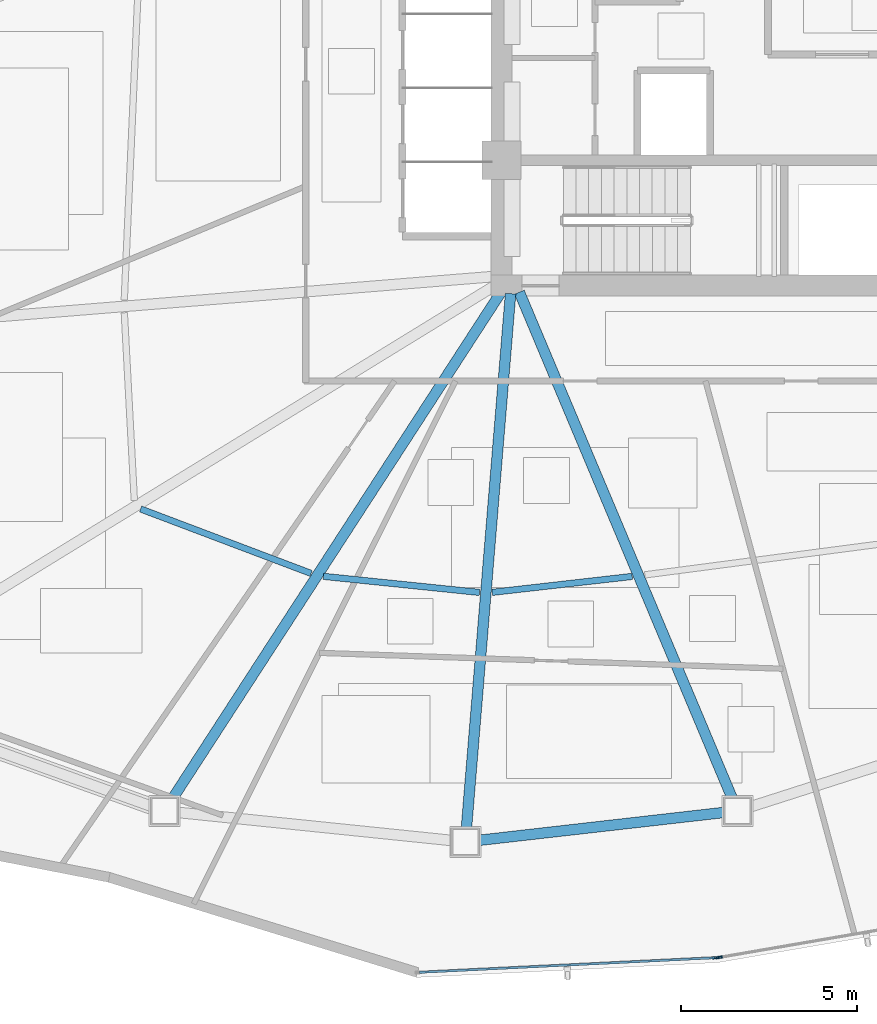
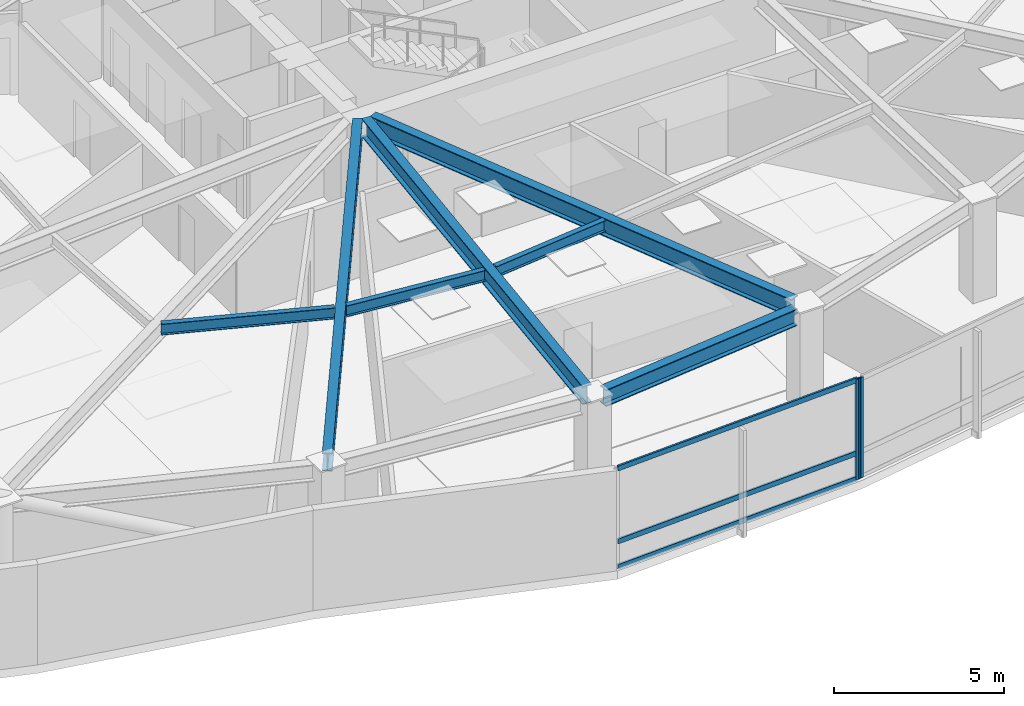
# One storey, part 3 of 18: 7 beams, 5 members, 2 elements without a shape of their own.
"""IFC4 building model written with IfcOpenShell, lengths in metres."""

from ifc_helpers import new_model, si_unit, direction, frame, origin, origin_2d, place, context, subcontext, project, spatial, hollow_rectangle, i_section, extrude, source, transform, mapped, material, layer, layer_set, material_profile, profile_set, type_object, type_shapes, element, aggregate, save


model = new_model("IFC4")

# Units and contexts
model_context = context("Model", 3, precision=1e-05, world=origin(), true_north=direction((0.0, 1.0)))
body_context = subcontext(model_context, "Body", "Model", "MODEL_VIEW")
ifc_project = project(units=[si_unit("LENGTHUNIT", "METRE"), si_unit("AREAUNIT", "SQUARE_METRE"), si_unit("VOLUMEUNIT", "CUBIC_METRE"), si_unit("PLANEANGLEUNIT", "RADIAN"), si_unit("MASSUNIT", "GRAM", prefix="KILO")], contexts=[model_context])

# Site, building, storey
site_placement = place(None, origin())
site = spatial("IfcSite", under=ifc_project, at=site_placement, CompositionType="ELEMENT")
building_placement = place(site_placement, origin())
building = spatial("IfcBuilding", under=site, at=building_placement, Name="Tavelor Broadcast Tower", CompositionType="ELEMENT")
storey_placement = place(building_placement, frame((0.0, 0.0, 51.0)))
storey = spatial("IfcBuildingStorey", under=building, at=storey_placement, Name="L11", CompositionType="ELEMENT", Elevation=51.0)

# Beams
ifc_material_1 = material(Name="Steel S355", Category="steel")
ifc_material_profile_1 = material_profile(ifc_material_1, i_section(OverallWidth=0.179931640625, OverallDepth=0.39990234375, WebThickness=0.008544921875, FlangeThickness=0.013427734375, at=origin_2d()), Name="IPE 400")
ifc_profile_set_1 = profile_set([ifc_material_profile_1], Name="Steel S355")
beam_type_1 = type_object("IfcBeamType", Name="Composite Floor Joist T1 IPE 400", PredefinedType="JOIST", material=ifc_profile_set_1)
beam_1_placement = place(storey_placement, frame((32.875732421875, 32.172119140625, 3.39990234375), z_axis=(0.935393222228, -0.353609275629, 0.0), x_axis=(0.353609275629, 0.935393222228, 0.0)))
element("IfcBeam", 1, at=beam_1_placement, inside=storey, type_object=beam_type_1, Name="L11 Secondary Composite Floor Joist 07", PredefinedType="JOIST", context=body_context, shape_type="SweptSolid", body=[
    extrude(i_section(OverallWidth=0.179931640625, OverallDepth=0.39990234375, WebThickness=0.008544921875, FlangeThickness=0.013427734375, at=origin_2d()), origin(), (0.0, 0.0, 1.0), 5.16357421875),
])
beam_2_placement = place(storey_placement, frame((38.05517578125, 30.263671875, 3.39990234375), z_axis=(0.994731276638, -0.102516765835, 0.0), x_axis=(0.102516765835, 0.994731276638, 0.0)))
element("IfcBeam", 2, at=beam_2_placement, inside=storey, type_object=beam_type_1, Name="L11 Secondary Composite Floor Joist 08", PredefinedType="JOIST", context=body_context, shape_type="SweptSolid", body=[
    extrude(i_section(OverallWidth=0.179931640625, OverallDepth=0.39990234375, WebThickness=0.008544921875, FlangeThickness=0.013427734375, at=origin_2d()), origin(), (0.0, 0.0, 1.0), 4.44384765625),
])
beam_3_placement = place(storey_placement, frame((42.83544921875, 29.81005859375, 3.39990234375), z_axis=(0.993584195036, 0.113094860076, 0.0), x_axis=(-0.113094860076, 0.993584195036, 0.0)))
element("IfcBeam", 3, at=beam_3_placement, inside=storey, type_object=beam_type_1, Name="L11 Secondary Composite Floor Joist 09", PredefinedType="JOIST", context=body_context, shape_type="SweptSolid", body=[
    extrude(i_section(OverallWidth=0.179931640625, OverallDepth=0.39990234375, WebThickness=0.008544921875, FlangeThickness=0.013427734375, at=origin_2d()), origin(), (0.0, 0.0, 1.0), 3.99365234375),
])
ifc_material_profile_2 = material_profile(ifc_material_1, i_section(OverallWidth=0.300048828125, OverallDepth=0.60009765625, WebThickness=0.015380859375, FlangeThickness=0.030029296875, at=origin_2d()), Name="HEB 600")
ifc_profile_set_2 = profile_set([ifc_material_profile_2], Name="Steel S355")
beam_type_2 = type_object("IfcBeamType", Name="Perimeter Spandrel Beam T1 HEB 600", PredefinedType="SPANDREL", material=ifc_profile_set_2)
beam_4_placement = place(storey_placement, frame((42.45458984375, 22.783935546875, 3.300048828125), z_axis=(0.993590028959, 0.113043594921, 0.0), x_axis=(-0.113043594921, 0.993590028959, 0.0)))
element("IfcBeam", 4, at=beam_4_placement, inside=storey, type_object=beam_type_2, Name="L11 Framed-Tube Ring Spandrel 09", PredefinedType="SPANDREL", context=body_context, shape_type="SweptSolid", body=[
    extrude(i_section(OverallWidth=0.300048828125, OverallDepth=0.60009765625, WebThickness=0.015380859375, FlangeThickness=0.030029296875, at=origin_2d()), origin(), (0.0, 0.0, 1.0), 6.995361328125),
])
ifc_material_profile_3 = material_profile(ifc_material_1, i_section(OverallWidth=0.300048828125, OverallDepth=0.64990234375, WebThickness=0.01611328125, FlangeThickness=0.031005859375, at=origin_2d()), Name="HEB 650")
ifc_profile_set_3 = profile_set([ifc_material_profile_3], Name="Steel S355")
beam_type_3 = type_object("IfcBeamType", Name="Radial Floor Girder T1 HEB 650", PredefinedType="BEAM", material=ifc_profile_set_3)
beam_5_placement = place(storey_placement, frame((43.11279296875, 38.35693359375, 3.27490234375), z_axis=(-0.544182728087, -0.838966720706, 0.0), x_axis=(0.838966720706, -0.544182728087, 0.0)))
element("IfcBeam", 5, at=beam_5_placement, inside=storey, type_object=beam_type_3, Name="L11 Radial Primary Floor Girder 08", PredefinedType="BEAM", context=body_context, shape_type="SweptSolid", body=[
    extrude(i_section(OverallWidth=0.300048828125, OverallDepth=0.64990234375, WebThickness=0.01611328125, FlangeThickness=0.031005859375, at=origin_2d()), origin(), (0.0, 0.0, 1.0), 17.186767578125),
])
beam_6_placement = place(storey_placement, frame((43.3564453125, 38.273681640625, 3.27490234375), z_axis=(-0.082338386508, -0.996604430106, 0.0), x_axis=(0.996604430106, -0.082338386508, 0.0)))
element("IfcBeam", 6, at=beam_6_placement, inside=storey, type_object=beam_type_3, Name="L11 Radial Primary Floor Girder 09", PredefinedType="BEAM", context=body_context, shape_type="SweptSolid", body=[
    extrude(i_section(OverallWidth=0.300048828125, OverallDepth=0.64990234375, WebThickness=0.01611328125, FlangeThickness=0.031005859375, at=origin_2d()), origin(), (0.0, 0.0, 1.0), 15.201904296875),
])
beam_7_placement = place(storey_placement, frame((43.604736328125, 38.313232421875, 3.27490234375), z_axis=(0.387757434366, -0.921761450753, 0.0), x_axis=(0.921761450753, 0.387757434366, 0.0)))
element("IfcBeam", 7, at=beam_7_placement, inside=storey, type_object=beam_type_3, Name="L11 Radial Primary Floor Girder 10", PredefinedType="BEAM", context=body_context, shape_type="SweptSolid", body=[
    extrude(i_section(OverallWidth=0.300048828125, OverallDepth=0.64990234375, WebThickness=0.01611328125, FlangeThickness=0.031005859375, at=origin_2d()), origin(), (0.0, 0.0, 1.0), 15.55859375),
])

# Curtain wall, member
ifc_material_2 = material(Name="Architectural Anodized Aluminium", Category="aluminium")
ifc_layer = layer(ifc_material_2, 0.179931640625)
ifc_layer_set = layer_set([ifc_layer], Name="Architectural Anodized Aluminium")
curtain_wall_type = type_object("IfcCurtainWallType", Name="Tower Low-Zone Unitised Curtain Wall CW02", PredefinedType="NOTDEFINED", material=ifc_layer_set)
curtain_wall_1_placement = place(storey_placement, origin())
curtain_wall_1 = element("IfcCurtainWall", 8, at=curtain_wall_1_placement, inside=storey, type_object=curtain_wall_type, Name="L11 Curtain Wall CW02 Run 89", PredefinedType="NOTDEFINED")
ifc_material_profile_4 = material_profile(ifc_material_2, hollow_rectangle(XDim=0.06494140625, YDim=0.179931640625, WallThickness=0.02197265625, at=origin_2d()), Name="RHS 65x180x22")
ifc_profile_set_4 = profile_set([ifc_material_profile_4], Name="Architectural Anodized Aluminium")
member_type_1 = type_object("IfcMemberType", Name="CW02 Extruded Aluminium Mullion 65x180", PredefinedType="MULLION", material=ifc_profile_set_4)
shared_shape_1 = source(origin(), body_context, "Body", "SweptSolid", [
    extrude(hollow_rectangle(XDim=0.06494140625, YDim=0.179931640625, WallThickness=0.02197265625, at=origin_2d()), origin(), (0.0, 0.0, 1.0), 3.60009765625),
])
type_shapes(member_type_1, [shared_shape_1])
member_1_placement = place(storey_placement, frame((49.172119140625, 19.457763671875, 0.0), z_axis=(0.0, 0.0, 1.0), x_axis=(-0.049281184615, 0.998784944241, 0.0)))
member_1 = element("IfcMember", 9, at=member_1_placement, type_object=member_type_1, Name="CW02 mullion 2", PredefinedType="MULLION", context=body_context, shape_type="MappedRepresentation", body=[
    mapped(shared_shape_1, transform((0.0, 0.0, 0.0), scale=1.0)),
])

curtain_wall_2_placement = place(storey_placement, origin())
curtain_wall_2 = element("IfcCurtainWall", 10, at=curtain_wall_2_placement, inside=storey, type_object=curtain_wall_type, Name="L11 Curtain Wall CW02 Run 90", PredefinedType="NOTDEFINED")
member_2_placement = place(storey_placement, frame((49.266357421875, 19.46826171875, 0.0), z_axis=(0.0, 0.0, 1.0), x_axis=(-0.169782629802, 0.985481536416, 0.0)))
member_2 = element("IfcMember", 11, at=member_2_placement, type_object=member_type_1, Name="CW02 mullion 1", PredefinedType="MULLION", context=body_context, shape_type="MappedRepresentation", body=[
    mapped(shared_shape_1, transform((0.0, 0.0, 0.0), scale=1.0)),
])
aggregate(curtain_wall_2, [member_2])

# Member
ifc_material_profile_5 = material_profile(ifc_material_2, hollow_rectangle(XDim=0.06494140625, YDim=0.179931640625, WallThickness=0.02197265625, at=origin_2d()), Name="RHS 65x180x22")
ifc_profile_set_5 = profile_set([ifc_material_profile_5], Name="Architectural Anodized Aluminium")
member_type_2 = type_object("IfcMemberType", Name="CW02 Extruded Aluminium Transom 65x180", PredefinedType="USERDEFINED", material=ifc_profile_set_5)
shared_shape_2 = source(origin(), body_context, "Body", "SweptSolid", [
    extrude(hollow_rectangle(XDim=0.06494140625, YDim=0.179931640625, WallThickness=0.02197265625, at=origin_2d()), origin(), (0.0, 0.0, 1.0), 8.372314453125),
])
type_shapes(member_type_2, [shared_shape_2])
member_3_placement = place(storey_placement, frame((40.777587890625, 19.043701171875, 0.032470703125), z_axis=(0.99878492024, 0.049281671052, 0.0), x_axis=(-0.049281671052, 0.99878492024, 0.0)))
member_3 = element("IfcMember", 12, at=member_3_placement, type_object=member_type_2, Name="CW02 transom 1.1", ObjectType="TRANSOM", PredefinedType="USERDEFINED", context=body_context, shape_type="MappedRepresentation", body=[
    mapped(shared_shape_2, transform((0.0, 0.0, 0.0), scale=1.0)),
])

member_4_placement = place(storey_placement, frame((40.777587890625, 19.043701171875, 0.949951171875), z_axis=(0.99878492024, 0.049281671052, 0.0), x_axis=(-0.049281671052, 0.99878492024, 0.0)))
member_4 = element("IfcMember", 13, at=member_4_placement, type_object=member_type_2, Name="CW02 transom 1.2", ObjectType="TRANSOM", PredefinedType="USERDEFINED", context=body_context, shape_type="MappedRepresentation", body=[
    mapped(shared_shape_2, transform((0.0, 0.0, 0.0), scale=1.0)),
])

member_5_placement = place(storey_placement, frame((40.777587890625, 19.043701171875, 3.5673828125), z_axis=(0.99878492024, 0.049281671052, 0.0), x_axis=(-0.049281671052, 0.99878492024, 0.0)))
member_5 = element("IfcMember", 14, at=member_5_placement, type_object=member_type_2, Name="CW02 transom 1.3", ObjectType="TRANSOM", PredefinedType="USERDEFINED", context=body_context, shape_type="MappedRepresentation", body=[
    mapped(shared_shape_2, transform((0.0, 0.0, 0.0), scale=1.0)),
])

aggregate(curtain_wall_1, [member_1, member_3, member_4, member_5])

save(model, "model.ifc")
